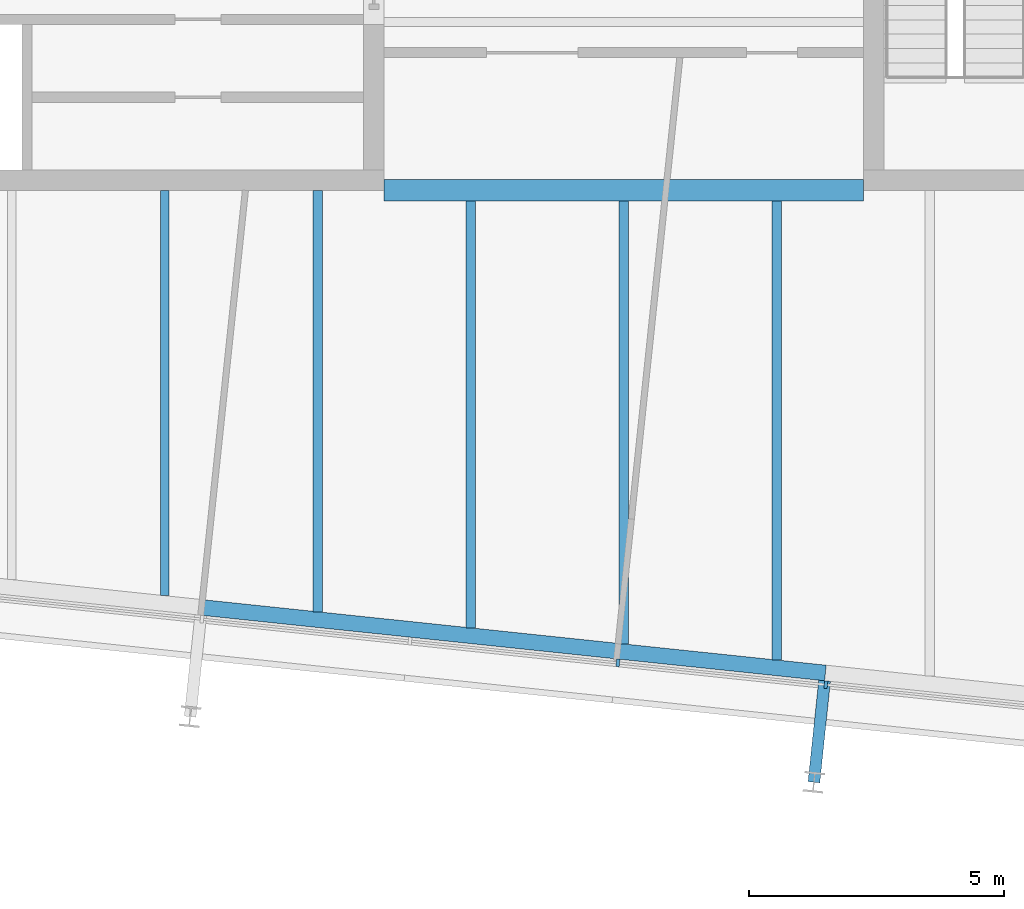
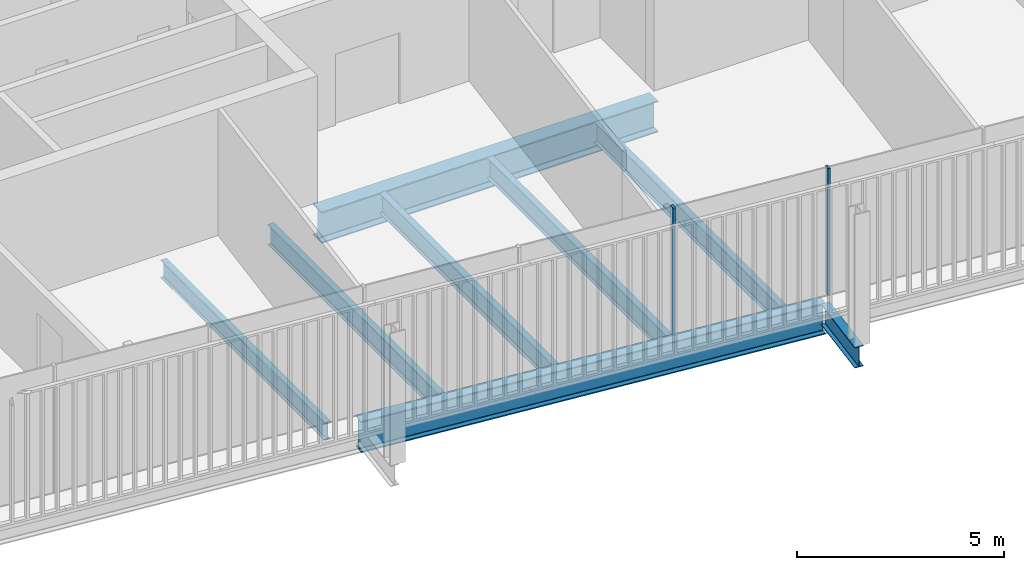
# One storey, part 5 of 20: 8 beams, 2 members, 1 element without a shape of its own.
"""IFC4 building model written with IfcOpenShell, lengths in metres."""

from ifc_helpers import new_model, si_unit, direction, frame, origin, origin_2d, place, context, subcontext, project, spatial, rectangle, i_section, extrude, material, layer, layer_set, material_profile, profile_set, type_object, element, aggregate, save


model = new_model("IFC4")

# Units and contexts
model_context = context("Model", 3, precision=1e-05, world=origin(), true_north=direction((0.0, 1.0)))
body_context = subcontext(model_context, "Body", "Model", "MODEL_VIEW")
ifc_project = project(units=[si_unit("LENGTHUNIT", "METRE"), si_unit("AREAUNIT", "SQUARE_METRE"), si_unit("VOLUMEUNIT", "CUBIC_METRE"), si_unit("PLANEANGLEUNIT", "RADIAN"), si_unit("MASSUNIT", "GRAM", prefix="KILO")], contexts=[model_context])

# Site, building, storey
site_placement = place(None, origin())
site = spatial("IfcSite", under=ifc_project, at=site_placement, CompositionType="ELEMENT")
building_placement = place(site_placement, origin())
building = spatial("IfcBuilding", under=site, at=building_placement, Name="Millrace Tower", CompositionType="ELEMENT")
storey_placement = place(building_placement, frame((0.0, 0.0, 295.5)))
storey = spatial("IfcBuildingStorey", under=building, at=storey_placement, Name="L68", CompositionType="ELEMENT", Elevation=295.5)

# Curtain wall, members
ifc_material_1 = material(Name="Aluminium and glass", Category="aluminium")
ifc_layer = layer(ifc_material_1, 0.14990234375)
ifc_layer_set = layer_set([ifc_layer], Name="Aluminium and glass")
curtain_wall_type = type_object("IfcCurtainWallType", Name="CW-1 office vision curtain wall", PredefinedType="NOTDEFINED", material=ifc_layer_set)
curtain_wall_placement = place(storey_placement, origin())
curtain_wall = element("IfcCurtainWall", 1, at=curtain_wall_placement, inside=storey, type_object=curtain_wall_type, Name="Curtain wall E-F02 L68", PredefinedType="NOTDEFINED")
ifc_material_2 = material(Name="Aluminium", Category="aluminium")
ifc_material_profile_1 = material_profile(ifc_material_2, rectangle(XDim=0.06494140625, YDim=0.14990234375, at=origin_2d()))
ifc_profile_set_1 = profile_set([ifc_material_profile_1], Name="Aluminium")
member_type = type_object("IfcMemberType", Name="CW-1 office vision curtain wall mullion", PredefinedType="MULLION", material=ifc_profile_set_1)
member_1_placement = place(storey_placement, frame((-0.11474609375, -18.567626953125, 0.139892578125), z_axis=(0.0, 0.0, 1.0), x_axis=(0.994521896217, -0.104528455196, 0.0)))
member_1 = element("IfcMember", 2, at=member_1_placement, type_object=member_type, Name="CW1 mullion E-F02.6", PredefinedType="MULLION", context=body_context, shape_type="SweptSolid", body=[
    extrude(rectangle(XDim=0.06494140625, YDim=0.14990234375, at=origin_2d()), origin(), (0.0, 0.0, 1.0), 3.760009765625),
])
member_2_placement = place(storey_placement, frame((3.962890625, -18.99609375, 0.139892578125), z_axis=(0.0, 0.0, 1.0), x_axis=(0.994521896217, -0.104528455196, 0.0)))
member_2 = element("IfcMember", 3, at=member_2_placement, type_object=member_type, Name="CW1 mullion E-F02.7", PredefinedType="MULLION", context=body_context, shape_type="SweptSolid", body=[
    extrude(rectangle(XDim=0.06494140625, YDim=0.14990234375, at=origin_2d()), origin(), (0.0, 0.0, 1.0), 3.760009765625),
])
aggregate(curtain_wall, [member_1, member_2])

# Beams
ifc_material_3 = material(Name="Steel ASTM A992 Grade 50", Category="steel")
ifc_material_profile_2 = material_profile(ifc_material_3, i_section(OverallWidth=0.1650390625, OverallDepth=0.52587890625, WebThickness=0.0087890625, FlangeThickness=0.011474609375, FilletRadius=0.0126953125, at=origin_2d()))
ifc_profile_set_2 = profile_set([ifc_material_profile_2], Name="Steel ASTM A992 Grade 50")
beam_type_1 = type_object("IfcBeamType", Name="Floor beam W21x44", PredefinedType="JOIST", material=ifc_profile_set_2)
beam_1_placement = place(storey_placement, frame((-9.0, -17.249267578125, -0.4228515625), z_axis=(0.0, 1.0, 0.0), x_axis=(-1.0, 0.0, 0.0)))
element("IfcBeam", 4, at=beam_1_placement, inside=storey, type_object=beam_type_1, Name="BM-E-L68-S1-S039", PredefinedType="JOIST", context=body_context, shape_type="SweptSolid", body=[
    extrude(i_section(OverallWidth=0.1650390625, OverallDepth=0.52587890625, WebThickness=0.0087890625, FlangeThickness=0.011474609375, FilletRadius=0.0126953125, at=origin_2d()), origin(), (0.0, 0.0, 1.0), 7.94921875),
])
ifc_material_4 = material(Name="Steel ASTM A992 Grade 50", Category="steel")
ifc_material_profile_3 = material_profile(ifc_material_4, i_section(OverallWidth=0.177978515625, OverallDepth=0.599365234375, WebThickness=0.010009765625, FlangeThickness=0.012939453125, FilletRadius=0.012939453125, at=origin_2d()))
ifc_profile_set_3 = profile_set([ifc_material_profile_3], Name="Steel ASTM A992 Grade 50")
beam_type_2 = type_object("IfcBeamType", Name="Floor beam W24x55", PredefinedType="JOIST", material=ifc_profile_set_3)
beam_2_placement = place(storey_placement, frame((-6.0, -17.564697265625, -0.459716796875), z_axis=(0.0, 1.0, 0.0), x_axis=(-1.0, 0.0, 0.0)))
element("IfcBeam", 5, at=beam_2_placement, inside=storey, type_object=beam_type_2, Name="BM-E-L68-S1-S041", PredefinedType="JOIST", context=body_context, shape_type="SweptSolid", body=[
    extrude(i_section(OverallWidth=0.177978515625, OverallDepth=0.599365234375, WebThickness=0.010009765625, FlangeThickness=0.012939453125, FilletRadius=0.012939453125, at=origin_2d()), origin(), (0.0, 0.0, 1.0), 8.2646484375),
])
beam_3_placement = place(storey_placement, frame((-3.0, -17.8798828125, -0.459716796875), z_axis=(0.0, 1.0, 0.0), x_axis=(-1.0, 0.0, 0.0)))
element("IfcBeam", 6, at=beam_3_placement, inside=storey, type_object=beam_type_2, Name="BM-E-L68-S1-S043", PredefinedType="JOIST", context=body_context, shape_type="SweptSolid", body=[
    extrude(i_section(OverallWidth=0.177978515625, OverallDepth=0.599365234375, WebThickness=0.010009765625, FlangeThickness=0.012939453125, FilletRadius=0.012939453125, at=origin_2d()), origin(), (0.0, 0.0, 1.0), 8.370361328125),
])
beam_4_placement = place(storey_placement, frame((0.0, -18.1953125, -0.459716796875), z_axis=(0.0, 1.0, 0.0), x_axis=(-1.0, 0.0, 0.0)))
element("IfcBeam", 7, at=beam_4_placement, inside=storey, type_object=beam_type_2, Name="BM-E-L68-S1-S045", PredefinedType="JOIST", context=body_context, shape_type="SweptSolid", body=[
    extrude(i_section(OverallWidth=0.177978515625, OverallDepth=0.599365234375, WebThickness=0.010009765625, FlangeThickness=0.012939453125, FilletRadius=0.012939453125, at=origin_2d()), origin(), (0.0, 0.0, 1.0), 8.685791015625),
])
beam_5_placement = place(storey_placement, frame((3.0, -18.510498046875, -0.459716796875), z_axis=(0.0, 1.0, 0.0), x_axis=(-1.0, 0.0, 0.0)))
element("IfcBeam", 8, at=beam_5_placement, inside=storey, type_object=beam_type_2, Name="BM-E-L68-S1-S047", PredefinedType="JOIST", context=body_context, shape_type="SweptSolid", body=[
    extrude(i_section(OverallWidth=0.177978515625, OverallDepth=0.599365234375, WebThickness=0.010009765625, FlangeThickness=0.012939453125, FilletRadius=0.012939453125, at=origin_2d()), origin(), (0.0, 0.0, 1.0), 9.0009765625),
])
ifc_material_5 = material(Name="Steel ASTM A992 Grade 50", Category="steel")
ifc_material_profile_4 = material_profile(ifc_material_5, i_section(OverallWidth=0.419189453125, OverallDepth=0.927001953125, WebThickness=0.019287109375, FlangeThickness=0.031982421875, FilletRadius=0.024169921875, at=origin_2d()))
ifc_profile_set_4 = profile_set([ifc_material_profile_4], Name="Steel ASTM A992 Grade 50")
beam_type_3 = type_object("IfcBeamType", Name="Girder short span W36x231", PredefinedType="BEAM", material=ifc_profile_set_4)
beam_6_placement = place(storey_placement, frame((-4.699951171875, -9.300048828125, -0.62353515625), z_axis=(1.0, 0.0, 0.0), x_axis=(0.0, 1.0, 0.0)))
element("IfcBeam", 9, at=beam_6_placement, inside=storey, type_object=beam_type_3, Name="BM-E-L68-S1-G059", PredefinedType="BEAM", context=body_context, shape_type="SweptSolid", body=[
    extrude(i_section(OverallWidth=0.419189453125, OverallDepth=0.927001953125, WebThickness=0.019287109375, FlangeThickness=0.031982421875, FilletRadius=0.024169921875, at=origin_2d()), origin(), (0.0, 0.0, 1.0), 9.39990234375),
])
ifc_material_6 = material(Name="Steel ASTM A992 Grade 50", Category="steel")
ifc_material_profile_5 = material_profile(ifc_material_6, i_section(OverallWidth=0.23046875, OverallDepth=0.6171875, WebThickness=0.01318359375, FlangeThickness=0.022216796875, FilletRadius=0.012939453125, at=origin_2d()))
ifc_profile_set_5 = profile_set([ifc_material_profile_5], Name="Steel ASTM A992 Grade 50")
beam_type_4 = type_object("IfcBeamType", Name="Link beam W24x94", PredefinedType="BEAM", material=ifc_profile_set_5)
beam_7_placement = place(storey_placement, frame((3.938232421875, -18.918212890625, -0.468505859375), z_axis=(-0.104494148666, -0.99452550138, 0.0), x_axis=(0.99452550138, -0.104494148666, 0.0)))
element("IfcBeam", 10, at=beam_7_placement, inside=storey, type_object=beam_type_4, Name="LNK-E-L68-S1-14", PredefinedType="BEAM", context=body_context, shape_type="SweptSolid", body=[
    extrude(i_section(OverallWidth=0.23046875, OverallDepth=0.6171875, WebThickness=0.01318359375, FlangeThickness=0.022216796875, FilletRadius=0.012939453125, at=origin_2d()), origin(), (0.0, 0.0, 1.0), 2.0),
])
ifc_material_7 = material(Name="Steel ASTM A992 Grade 50", Category="steel")
ifc_material_profile_6 = material_profile(ifc_material_7, i_section(OverallWidth=0.307373046875, OverallDepth=0.927001953125, WebThickness=0.01953125, FlangeThickness=0.031982421875, FilletRadius=0.01904296875, at=origin_2d()))
ifc_profile_set_6 = profile_set([ifc_material_profile_6], Name="Steel ASTM A992 Grade 50")
beam_type_5 = type_object("IfcBeamType", Name="Ring beam medium span W36x194", PredefinedType="SPANDREL", material=ifc_profile_set_6)
beam_8_placement = place(storey_placement, frame((3.954345703125, -18.765380859375, -0.62353515625), z_axis=(-0.994522406476, 0.104523600289, 0.0), x_axis=(-0.104523600289, -0.994522406476, 0.0)))
element("IfcBeam", 11, at=beam_8_placement, inside=storey, type_object=beam_type_5, Name="RNG-E-L68-S1-14", PredefinedType="SPANDREL", context=body_context, shape_type="SweptSolid", body=[
    extrude(i_section(OverallWidth=0.307373046875, OverallDepth=0.927001953125, WebThickness=0.01953125, FlangeThickness=0.031982421875, FilletRadius=0.01904296875, at=origin_2d()), origin(), (0.0, 0.0, 1.0), 12.300048828125),
])

save(model, "model.ifc")
